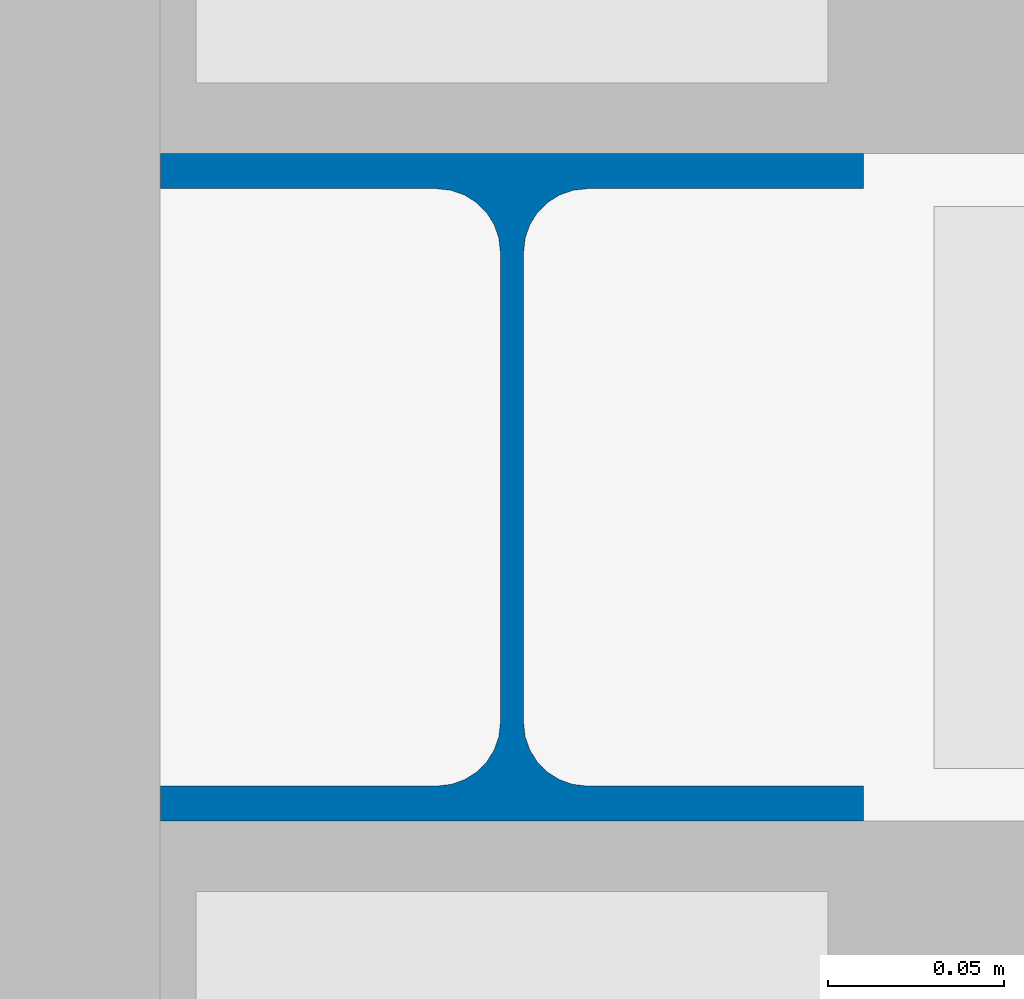
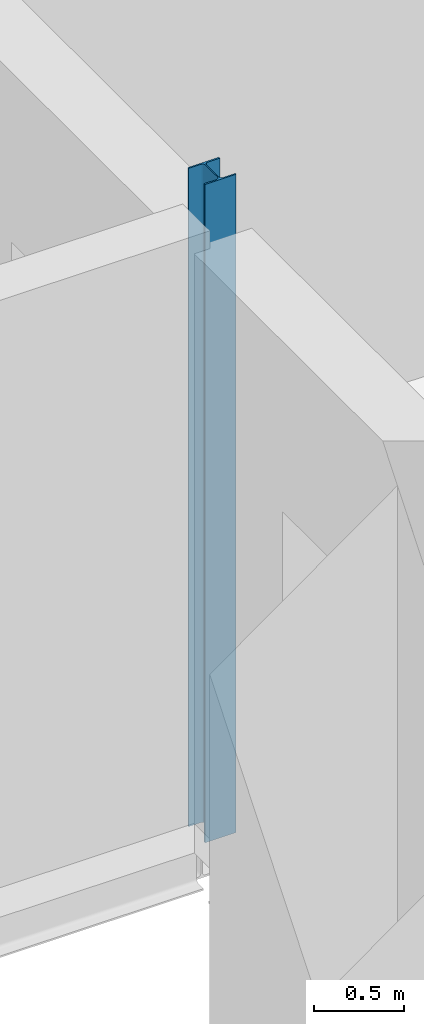
# One storey, part 16 of 131: 1 column.
"""IFC4 building model written with IfcOpenShell, lengths in metres."""

from ifc_helpers import new_model, si_unit, direction, frame, origin, origin_2d, place, context, subcontext, project, spatial, i_section, extrude, material, material_profile, profile_set, type_object, element, save


model = new_model("IFC4")

# Units and contexts
model_context = context("Model", 3, precision=1e-05, world=origin(), true_north=direction((0.0, 1.0)))
body_context = subcontext(model_context, "Body", "Model", "MODEL_VIEW")
ifc_project = project(units=[si_unit("LENGTHUNIT", "METRE"), si_unit("AREAUNIT", "SQUARE_METRE"), si_unit("VOLUMEUNIT", "CUBIC_METRE"), si_unit("PLANEANGLEUNIT", "RADIAN"), si_unit("MASSUNIT", "GRAM", prefix="KILO")], contexts=[model_context])

# Site, building, storey
site_placement = place(None, origin())
site = spatial("IfcSite", under=ifc_project, at=site_placement, CompositionType="ELEMENT")
building_placement = place(site_placement, origin())
building = spatial("IfcBuilding", under=site, at=building_placement, Name="Golden Quay Civic Hall", CompositionType="ELEMENT")
storey_placement = place(building_placement, frame((0.0, 0.0, 9.89990234375)))
storey = spatial("IfcBuildingStorey", under=building, at=storey_placement, Name="L02", CompositionType="ELEMENT", Elevation=9.89990234375)

# Column
ifc_material = material(Name="Steel S355", Category="steel")
ifc_material_profile = material_profile(ifc_material, i_section(OverallWidth=0.199951171875, OverallDepth=0.18994140625, WebThickness=0.006591796875, FlangeThickness=0.010009765625, FilletRadius=0.01806640625, at=origin_2d()), Name="HEA 200")
ifc_profile_set = profile_set([ifc_material_profile], Name="Steel S355")
column_type = type_object("IfcColumnType", Name="Steel column HEA 200", PredefinedType="COLUMN", material=ifc_profile_set)
column_placement = place(storey_placement, frame((153.0, 18.0, -0.199951171875), z_axis=(0.0, 0.0, 1.0), x_axis=(1.0, 0.0, 0.0)))
element("IfcColumn", 1, at=column_placement, inside=storey, type_object=column_type, Name="Column 153/18 L02", PredefinedType="COLUMN", context=body_context, shape_type="SweptSolid", body=[
    extrude(i_section(OverallWidth=0.199951171875, OverallDepth=0.18994140625, WebThickness=0.006591796875, FlangeThickness=0.010009765625, FilletRadius=0.01806640625, at=origin_2d()), origin(), (0.0, 0.0, 1.0), 4.449951171875),
])

save(model, "model.ifc")
